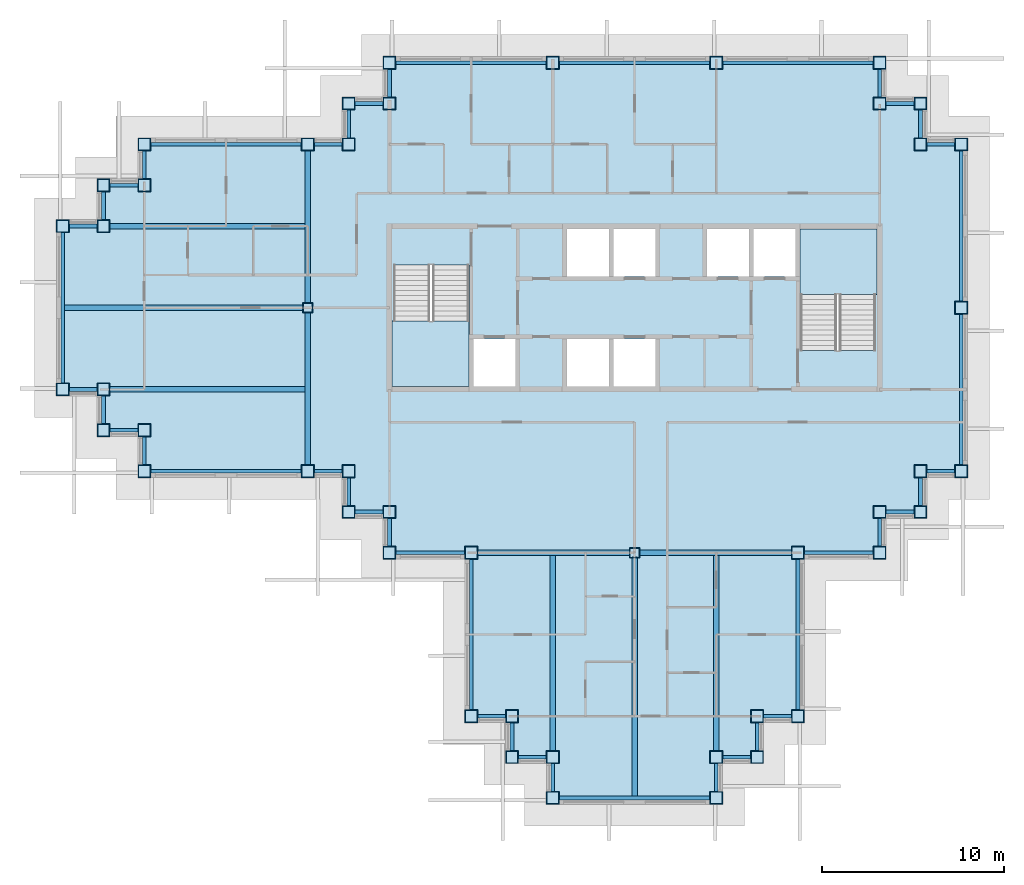
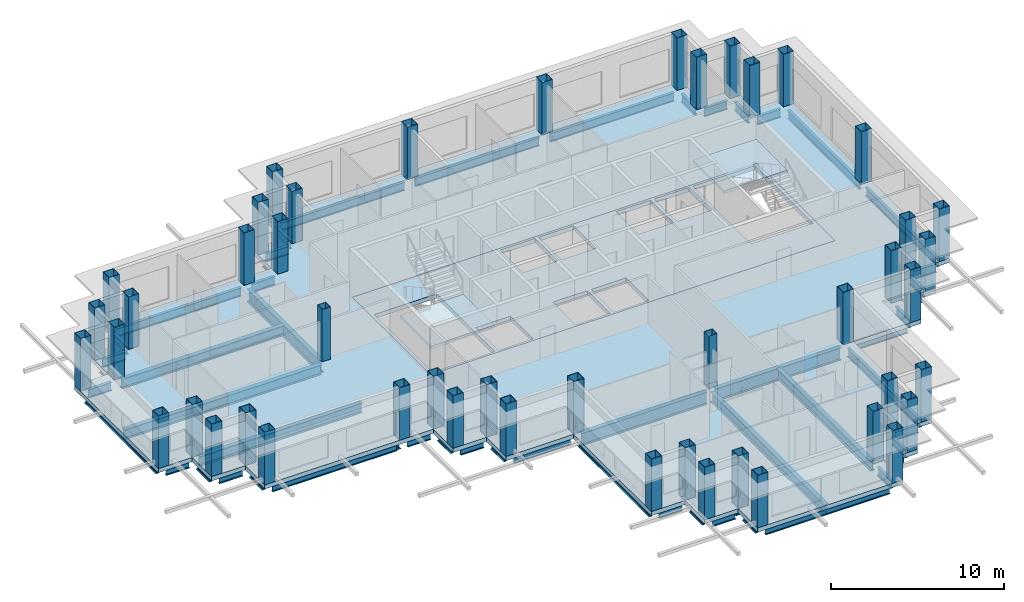
# One storey, part 1 of 12: 55 beams, 47 columns, 4 slabs, 2 elements without a shape of their own.
"""IFC4 building model written with IfcOpenShell, lengths in metres."""

from ifc_helpers import new_model, si_unit, direction, frame, origin, origin_2d, place, context, subcontext, project, spatial, polyline, hollow_rectangle, i_section, outline, extrude, material, layer, layer_set, material_profile, profile_set, type_object, element, aggregate, save


model = new_model("IFC4")

# Units and contexts
model_context = context("Model", 3, precision=1e-05, world=origin(), true_north=direction((0.0, 1.0)))
body_context = subcontext(model_context, "Body", "Model", "MODEL_VIEW")
ifc_project = project(units=[si_unit("LENGTHUNIT", "METRE"), si_unit("AREAUNIT", "SQUARE_METRE"), si_unit("VOLUMEUNIT", "CUBIC_METRE"), si_unit("PLANEANGLEUNIT", "RADIAN"), si_unit("MASSUNIT", "GRAM", prefix="KILO")], contexts=[model_context])

# Site, building, storey
site_placement = place(None, origin())
site = spatial("IfcSite", under=ifc_project, at=site_placement, CompositionType="ELEMENT")
building_placement = place(site_placement, origin())
building = spatial("IfcBuilding", under=site, at=building_placement, Name="Caravel Reach Hotel and Residences", CompositionType="ELEMENT")
storey_placement = place(building_placement, frame((0.0, 0.0, 203.5)))
storey = spatial("IfcBuildingStorey", under=building, at=storey_placement, Name="L51", CompositionType="ELEMENT", Elevation=203.5)

# Columns
ifc_material_1 = material(Name="Concrete-filled steel tube Q390B with Concrete C60 infill", Category="concrete")
ifc_material_profile_1 = material_profile(ifc_material_1, hollow_rectangle(XDim=0.550048828125, YDim=0.550048828125, WallThickness=0.01806640625, at=origin_2d()), Name="RHS 550x550x18")
ifc_profile_set_1 = profile_set([ifc_material_profile_1], Name="Concrete-filled steel tube Q390B with Concrete C60 infill")
column_type_1 = type_object("IfcColumnType", Name="CFT 550x550 Q390B C60", PredefinedType="COLUMN", material=ifc_profile_set_1)
for number, where, z_axis, x_axis, name in (
    (1, (31.5, 13.5, 0.0), (0.0, 0.0, 1.0), (1.0, 0.0, 0.0), "C18 column"),
    (2, (13.5, 27.0, 0.0), (0.0, 0.0, 1.0), (1.0, 0.0, 0.0), "C18 column"),
):
    element("IfcColumn", number, at=place(storey_placement, frame(where, z_axis=z_axis, x_axis=x_axis)), inside=storey, type_object=column_type_1, Name=name, PredefinedType="COLUMN", context=body_context, shape_type="SweptSolid", body=[
        extrude(hollow_rectangle(XDim=0.550048828125, YDim=0.550048828125, WallThickness=0.01806640625, at=origin_2d()), origin(), (0.0, 0.0, 1.0), 3.699951171875),
    ])
ifc_material_2 = material(Name="Concrete-filled steel tube Q390B with Concrete C60 infill", Category="concrete")
ifc_material_profile_2 = material_profile(ifc_material_2, hollow_rectangle(XDim=0.699951171875, YDim=0.699951171875, WallThickness=0.02197265625, at=origin_2d()), Name="RHS 700x700x22")
ifc_profile_set_2 = profile_set([ifc_material_profile_2], Name="Concrete-filled steel tube Q390B with Concrete C60 infill")
column_type_2 = type_object("IfcColumnType", Name="CFT 700x700 Q390B C60", PredefinedType="COLUMN", material=ifc_profile_set_2)
for number, where, z_axis, x_axis, name in (
    (3, (40.5, 13.5, 0.0), (0.0, 0.0, 1.0), (1.0, 0.0, 0.0), "C7 column"),
    (4, (45.0, 13.5, 0.0), (0.0, 0.0, 1.0), (1.0, 0.0, 0.0), "C7 column"),
    (5, (45.0, 15.75, 0.0), (0.0, 0.0, 1.0), (1.0, 0.0, 0.0), "C7 column"),
    (6, (47.25, 15.75, 0.0), (0.0, 0.0, 1.0), (1.0, 0.0, 0.0), "C7 column"),
    (7, (47.25, 18.0, 0.0), (0.0, 0.0, 1.0), (1.0, 0.0, 0.0), "C7 column"),
    (8, (49.5, 18.0, 0.0), (0.0, 0.0, 1.0), (1.0, 0.0, 0.0), "C7 column"),
    (9, (49.5, 27.0, 0.0), (0.0, 0.0, 1.0), (1.0, 0.0, 0.0), "C7 column"),
    (10, (49.5, 36.0, 0.0), (0.0, 0.0, 1.0), (1.0, 0.0, 0.0), "C7 column"),
    (11, (47.25, 36.0, 0.0), (0.0, 0.0, 1.0), (1.0, 0.0, 0.0), "C7 column"),
    (12, (47.25, 38.25, 0.0), (0.0, 0.0, 1.0), (1.0, 0.0, 0.0), "C7 column"),
    (13, (45.0, 38.25, 0.0), (0.0, 0.0, 1.0), (1.0, 0.0, 0.0), "C7 column"),
    (14, (45.0, 40.5, 0.0), (0.0, 0.0, 1.0), (1.0, 0.0, 0.0), "C7 column"),
    (15, (36.0, 40.5, 0.0), (0.0, 0.0, 1.0), (1.0, 0.0, 0.0), "C7 column"),
    (16, (27.0, 40.5, 0.0), (0.0, 0.0, 1.0), (1.0, 0.0, 0.0), "C7 column"),
    (17, (18.0, 40.5, 0.0), (0.0, 0.0, 1.0), (1.0, 0.0, 0.0), "C7 column"),
    (18, (18.0, 38.25, 0.0), (0.0, 0.0, 1.0), (1.0, 0.0, 0.0), "C7 column"),
    (19, (15.75, 38.25, 0.0), (0.0, 0.0, 1.0), (1.0, 0.0, 0.0), "C7 column"),
    (20, (15.75, 36.0, 0.0), (0.0, 0.0, 1.0), (1.0, 0.0, 0.0), "C7 column"),
    (21, (13.5, 36.0, 0.0), (0.0, 0.0, 1.0), (1.0, 0.0, 0.0), "C7 column"),
    (22, (4.5, 36.0, 0.0), (0.0, 0.0, 1.0), (1.0, 0.0, 0.0), "C7 column"),
    (23, (4.5, 33.75, 0.0), (0.0, 0.0, 1.0), (1.0, 0.0, 0.0), "C7 column"),
    (24, (2.25, 33.75, 0.0), (0.0, 0.0, 1.0), (1.0, 0.0, 0.0), "C7 column"),
    (25, (2.25, 31.5, 0.0), (0.0, 0.0, 1.0), (1.0, 0.0, 0.0), "C7 column"),
    (26, (0.0, 31.5, 0.0), (0.0, 0.0, 1.0), (1.0, 0.0, 0.0), "C7 column"),
    (27, (0.0, 22.5, 0.0), (0.0, 0.0, 1.0), (1.0, 0.0, 0.0), "C7 column"),
    (28, (2.25, 22.5, 0.0), (0.0, 0.0, 1.0), (1.0, 0.0, 0.0), "C7 column"),
    (29, (2.25, 20.25, 0.0), (0.0, 0.0, 1.0), (1.0, 0.0, 0.0), "C7 column"),
    (30, (4.5, 20.25, 0.0), (0.0, 0.0, 1.0), (1.0, 0.0, 0.0), "C7 column"),
    (31, (4.5, 18.0, 0.0), (0.0, 0.0, 1.0), (1.0, 0.0, 0.0), "C7 column"),
    (32, (13.5, 18.0, 0.0), (0.0, 0.0, 1.0), (1.0, 0.0, 0.0), "C7 column"),
    (33, (15.75, 18.0, 0.0), (0.0, 0.0, 1.0), (1.0, 0.0, 0.0), "C7 column"),
    (34, (15.75, 15.75, 0.0), (0.0, 0.0, 1.0), (1.0, 0.0, 0.0), "C7 column"),
    (35, (18.0, 15.75, 0.0), (0.0, 0.0, 1.0), (1.0, 0.0, 0.0), "C7 column"),
    (36, (18.0, 13.5, 0.0), (0.0, 0.0, 1.0), (1.0, 0.0, 0.0), "C7 column"),
    (37, (22.5, 13.5, 0.0), (0.0, 0.0, 1.0), (1.0, 0.0, 0.0), "C7 column"),
    (38, (22.5, 4.5, 0.0), (0.0, 0.0, 1.0), (1.0, 0.0, 0.0), "C7 column"),
    (39, (24.75, 4.5, 0.0), (0.0, 0.0, 1.0), (1.0, 0.0, 0.0), "C7 column"),
    (40, (24.75, 2.25, 0.0), (0.0, 0.0, 1.0), (1.0, 0.0, 0.0), "C7 column"),
    (41, (27.0, 2.25, 0.0), (0.0, 0.0, 1.0), (1.0, 0.0, 0.0), "C7 column"),
    (42, (27.0, 0.0, 0.0), (0.0, 0.0, 1.0), (1.0, 0.0, 0.0), "C7 column"),
    (43, (36.0, 0.0, 0.0), (0.0, 0.0, 1.0), (1.0, 0.0, 0.0), "C7 column"),
    (44, (36.0, 2.25, 0.0), (0.0, 0.0, 1.0), (1.0, 0.0, 0.0), "C7 column"),
    (45, (38.25, 2.25, 0.0), (0.0, 0.0, 1.0), (1.0, 0.0, 0.0), "C7 column"),
    (46, (38.25, 4.5, 0.0), (0.0, 0.0, 1.0), (1.0, 0.0, 0.0), "C7 column"),
    (47, (40.5, 4.5, 0.0), (0.0, 0.0, 1.0), (1.0, 0.0, 0.0), "C7 column"),
):
    element("IfcColumn", number, at=place(storey_placement, frame(where, z_axis=z_axis, x_axis=x_axis)), inside=storey, type_object=column_type_2, Name=name, PredefinedType="COLUMN", context=body_context, shape_type="SweptSolid", body=[
        extrude(hollow_rectangle(XDim=0.699951171875, YDim=0.699951171875, WallThickness=0.02197265625, at=origin_2d()), origin(), (0.0, 0.0, 1.0), 3.699951171875),
    ])

# Beams
ifc_material_3 = material(Name="Structural steel Q355B", Category="steel")
ifc_material_profile_3 = material_profile(ifc_material_3, i_section(OverallWidth=0.300048828125, OverallDepth=0.699951171875, WebThickness=0.012939453125, FlangeThickness=0.02392578125, FilletRadius=0.01806640625, at=origin_2d()), Name="HN 700x300x13x24")
ifc_profile_set_3 = profile_set([ifc_material_profile_3], Name="Structural steel Q355B")
beam_type_1 = type_object("IfcBeamType", Name="Beam HN 700x300x13x24", PredefinedType="BEAM", material=ifc_profile_set_3)
beam_1_placement = place(storey_placement, frame((27.0, 13.39990234375, -0.64990234375), z_axis=(0.0, -1.0, 0.0), x_axis=(1.0, 0.0, 0.0)))
element("IfcBeam", 48, at=beam_1_placement, inside=storey, type_object=beam_type_1, Name="B2 HN 700x300x13x24", PredefinedType="BEAM", context=body_context, shape_type="SweptSolid", body=[
    extrude(i_section(OverallWidth=0.300048828125, OverallDepth=0.699951171875, WebThickness=0.012939453125, FlangeThickness=0.02392578125, FilletRadius=0.01806640625, at=origin_2d()), origin(), (0.0, 0.0, 1.0), 10.849853515625),
])
beam_2_placement = place(storey_placement, frame((31.5, 13.27490234375, -0.64990234375), z_axis=(0.0, -1.0, 0.0), x_axis=(1.0, 0.0, 0.0)))
element("IfcBeam", 49, at=beam_2_placement, inside=storey, type_object=beam_type_1, Name="B2 HN 700x300x13x24", PredefinedType="BEAM", context=body_context, shape_type="SweptSolid", body=[
    extrude(i_section(OverallWidth=0.300048828125, OverallDepth=0.699951171875, WebThickness=0.012939453125, FlangeThickness=0.02392578125, FilletRadius=0.01806640625, at=origin_2d()), origin(), (0.0, 0.0, 1.0), 13.1748046875),
])
for number, where, z_axis, x_axis, name in (
    (50, (36.0, 13.39990234375, -0.64990234375), (0.0, -1.0, 0.0), (1.0, 0.0, 0.0), "B2 HN 700x300x13x24"),
    (51, (13.39990234375, 22.5, -0.64990234375), (-1.0, 0.0, 0.0), (0.0, -1.0, 0.0), "B2 HN 700x300x13x24"),
):
    element("IfcBeam", number, at=place(storey_placement, frame(where, z_axis=z_axis, x_axis=x_axis)), inside=storey, type_object=beam_type_1, Name=name, PredefinedType="BEAM", context=body_context, shape_type="SweptSolid", body=[
        extrude(i_section(OverallWidth=0.300048828125, OverallDepth=0.699951171875, WebThickness=0.012939453125, FlangeThickness=0.02392578125, FilletRadius=0.01806640625, at=origin_2d()), origin(), (0.0, 0.0, 1.0), 10.849853515625),
    ])
beam_3_placement = place(storey_placement, frame((13.27490234375, 27.0, -0.64990234375), z_axis=(-1.0, 0.0, 0.0), x_axis=(0.0, -1.0, 0.0)))
element("IfcBeam", 52, at=beam_3_placement, inside=storey, type_object=beam_type_1, Name="B2 HN 700x300x13x24", PredefinedType="BEAM", context=body_context, shape_type="SweptSolid", body=[
    extrude(i_section(OverallWidth=0.300048828125, OverallDepth=0.699951171875, WebThickness=0.012939453125, FlangeThickness=0.02392578125, FilletRadius=0.01806640625, at=origin_2d()), origin(), (0.0, 0.0, 1.0), 13.1748046875),
])
beam_4_placement = place(storey_placement, frame((13.39990234375, 31.5, -0.64990234375), z_axis=(-1.0, 0.0, 0.0), x_axis=(0.0, -1.0, 0.0)))
element("IfcBeam", 53, at=beam_4_placement, inside=storey, type_object=beam_type_1, Name="B2 HN 700x300x13x24", PredefinedType="BEAM", context=body_context, shape_type="SweptSolid", body=[
    extrude(i_section(OverallWidth=0.300048828125, OverallDepth=0.699951171875, WebThickness=0.012939453125, FlangeThickness=0.02392578125, FilletRadius=0.01806640625, at=origin_2d()), origin(), (0.0, 0.0, 1.0), 10.849853515625),
])
ifc_material_4 = material(Name="Structural steel Q355B", Category="steel")
ifc_material_profile_4 = material_profile(ifc_material_4, i_section(OverallWidth=0.300048828125, OverallDepth=0.89990234375, WebThickness=0.01611328125, FlangeThickness=0.028076171875, FilletRadius=0.01806640625, at=origin_2d()), Name="HN 900x300x16x28")
ifc_profile_set_4 = profile_set([ifc_material_profile_4], Name="Structural steel Q355B")
beam_type_2 = type_object("IfcBeamType", Name="Beam HN 900x300x16x28", PredefinedType="BEAM", material=ifc_profile_set_4)
for number, where, z_axis, x_axis, name in (
    (54, (22.85009765625, 13.5, -0.75), (1.0, 0.0, 0.0), (0.0, 1.0, 0.0), "B3 HN 900x300x16x28"),
    (55, (31.77490234375, 13.5, -0.75), (1.0, 0.0, 0.0), (0.0, 1.0, 0.0), "B3 HN 900x300x16x28"),
    (56, (13.5, 18.35009765625, -0.75), (0.0, 1.0, 0.0), (-1.0, 0.0, 0.0), "B3 HN 900x300x16x28"),
    (57, (13.5, 27.27490234375, -0.75), (0.0, 1.0, 0.0), (-1.0, 0.0, 0.0), "B3 HN 900x300x16x28"),
):
    element("IfcBeam", number, at=place(storey_placement, frame(where, z_axis=z_axis, x_axis=x_axis)), inside=storey, type_object=beam_type_2, Name=name, PredefinedType="BEAM", context=body_context, shape_type="SweptSolid", body=[
        extrude(i_section(OverallWidth=0.300048828125, OverallDepth=0.89990234375, WebThickness=0.01611328125, FlangeThickness=0.028076171875, FilletRadius=0.01806640625, at=origin_2d()), origin(), (0.0, 0.0, 1.0), 8.375),
    ])
ifc_material_5 = material(Name="Structural steel Q355B", Category="steel")
ifc_material_profile_5 = material_profile(ifc_material_5, i_section(OverallWidth=0.199951171875, OverallDepth=0.60009765625, WebThickness=0.010986328125, FlangeThickness=0.01708984375, FilletRadius=0.012939453125, at=origin_2d()), Name="HN 600x200x11x17")
ifc_profile_set_5 = profile_set([ifc_material_profile_5], Name="Structural steel Q355B")
beam_type_3 = type_object("IfcBeamType", Name="Spandrel beam HN 600x200x11x17", PredefinedType="SPANDREL", material=ifc_profile_set_5)
beam_5_placement = place(storey_placement, frame((40.85009765625, 13.5, -0.60009765625), z_axis=(1.0, 0.0, 0.0), x_axis=(0.0, 1.0, 0.0)))
element("IfcBeam", 58, at=beam_5_placement, inside=storey, type_object=beam_type_3, Name="SP1 HN 600x200x11x17", PredefinedType="SPANDREL", context=body_context, shape_type="SweptSolid", body=[
    extrude(i_section(OverallWidth=0.199951171875, OverallDepth=0.60009765625, WebThickness=0.010986328125, FlangeThickness=0.01708984375, FilletRadius=0.012939453125, at=origin_2d()), origin(), (0.0, 0.0, 1.0), 3.7998046875),
])
for number, where, z_axis, x_axis, name in (
    (59, (45.0, 13.85009765625, -0.60009765625), (0.0, 1.0, 0.0), (-1.0, 0.0, 0.0), "SP1 HN 600x200x11x17"),
    (60, (45.35009765625, 15.75, -0.60009765625), (1.0, 0.0, 0.0), (0.0, 1.0, 0.0), "SP1 HN 600x200x11x17"),
    (61, (47.25, 16.10009765625, -0.60009765625), (0.0, 1.0, 0.0), (-1.0, 0.0, 0.0), "SP1 HN 600x200x11x17"),
    (62, (47.60009765625, 18.0, -0.60009765625), (1.0, 0.0, 0.0), (0.0, 1.0, 0.0), "SP1 HN 600x200x11x17"),
):
    element("IfcBeam", number, at=place(storey_placement, frame(where, z_axis=z_axis, x_axis=x_axis)), inside=storey, type_object=beam_type_3, Name=name, PredefinedType="SPANDREL", context=body_context, shape_type="SweptSolid", body=[
        extrude(i_section(OverallWidth=0.199951171875, OverallDepth=0.60009765625, WebThickness=0.010986328125, FlangeThickness=0.01708984375, FilletRadius=0.012939453125, at=origin_2d()), origin(), (0.0, 0.0, 1.0), 1.5498046875),
    ])
for number, where, z_axis, x_axis, name in (
    (63, (49.5, 18.35009765625, -0.60009765625), (0.0, 1.0, 0.0), (-1.0, 0.0, 0.0), "SP1 HN 600x200x11x17"),
    (64, (49.5, 27.35009765625, -0.60009765625), (0.0, 1.0, 0.0), (-1.0, 0.0, 0.0), "SP1 HN 600x200x11x17"),
):
    element("IfcBeam", number, at=place(storey_placement, frame(where, z_axis=z_axis, x_axis=x_axis)), inside=storey, type_object=beam_type_3, Name=name, PredefinedType="SPANDREL", context=body_context, shape_type="SweptSolid", body=[
        extrude(i_section(OverallWidth=0.199951171875, OverallDepth=0.60009765625, WebThickness=0.010986328125, FlangeThickness=0.01708984375, FilletRadius=0.012939453125, at=origin_2d()), origin(), (0.0, 0.0, 1.0), 8.2998046875),
    ])
for number, where, z_axis, x_axis, name in (
    (65, (49.14990234375, 36.0, -0.60009765625), (-1.0, 0.0, 0.0), (0.0, -1.0, 0.0), "SP1 HN 600x200x11x17"),
    (66, (47.25, 36.35009765625, -0.60009765625), (0.0, 1.0, 0.0), (-1.0, 0.0, 0.0), "SP1 HN 600x200x11x17"),
    (67, (46.89990234375, 38.25, -0.60009765625), (-1.0, 0.0, 0.0), (0.0, -1.0, 0.0), "SP1 HN 600x200x11x17"),
    (68, (45.0, 38.60009765625, -0.60009765625), (0.0, 1.0, 0.0), (-1.0, 0.0, 0.0), "SP1 HN 600x200x11x17"),
):
    element("IfcBeam", number, at=place(storey_placement, frame(where, z_axis=z_axis, x_axis=x_axis)), inside=storey, type_object=beam_type_3, Name=name, PredefinedType="SPANDREL", context=body_context, shape_type="SweptSolid", body=[
        extrude(i_section(OverallWidth=0.199951171875, OverallDepth=0.60009765625, WebThickness=0.010986328125, FlangeThickness=0.01708984375, FilletRadius=0.012939453125, at=origin_2d()), origin(), (0.0, 0.0, 1.0), 1.5498046875),
    ])
for number, where, z_axis, x_axis, name in (
    (69, (44.64990234375, 40.5, -0.60009765625), (-1.0, 0.0, 0.0), (0.0, -1.0, 0.0), "SP1 HN 600x200x11x17"),
    (70, (35.64990234375, 40.5, -0.60009765625), (-1.0, 0.0, 0.0), (0.0, -1.0, 0.0), "SP1 HN 600x200x11x17"),
    (71, (26.64990234375, 40.5, -0.60009765625), (-1.0, 0.0, 0.0), (0.0, -1.0, 0.0), "SP1 HN 600x200x11x17"),
):
    element("IfcBeam", number, at=place(storey_placement, frame(where, z_axis=z_axis, x_axis=x_axis)), inside=storey, type_object=beam_type_3, Name=name, PredefinedType="SPANDREL", context=body_context, shape_type="SweptSolid", body=[
        extrude(i_section(OverallWidth=0.199951171875, OverallDepth=0.60009765625, WebThickness=0.010986328125, FlangeThickness=0.01708984375, FilletRadius=0.012939453125, at=origin_2d()), origin(), (0.0, 0.0, 1.0), 8.2998046875),
    ])
for number, where, z_axis, x_axis, name in (
    (72, (18.0, 40.14990234375, -0.60009765625), (0.0, -1.0, 0.0), (1.0, 0.0, 0.0), "SP1 HN 600x200x11x17"),
    (73, (17.64990234375, 38.25, -0.60009765625), (-1.0, 0.0, 0.0), (0.0, -1.0, 0.0), "SP1 HN 600x200x11x17"),
    (74, (15.75, 37.89990234375, -0.60009765625), (0.0, -1.0, 0.0), (1.0, 0.0, 0.0), "SP1 HN 600x200x11x17"),
    (75, (15.39990234375, 36.0, -0.60009765625), (-1.0, 0.0, 0.0), (0.0, -1.0, 0.0), "SP1 HN 600x200x11x17"),
):
    element("IfcBeam", number, at=place(storey_placement, frame(where, z_axis=z_axis, x_axis=x_axis)), inside=storey, type_object=beam_type_3, Name=name, PredefinedType="SPANDREL", context=body_context, shape_type="SweptSolid", body=[
        extrude(i_section(OverallWidth=0.199951171875, OverallDepth=0.60009765625, WebThickness=0.010986328125, FlangeThickness=0.01708984375, FilletRadius=0.012939453125, at=origin_2d()), origin(), (0.0, 0.0, 1.0), 1.5498046875),
    ])
beam_6_placement = place(storey_placement, frame((13.14990234375, 36.0, -0.60009765625), z_axis=(-1.0, 0.0, 0.0), x_axis=(0.0, -1.0, 0.0)))
element("IfcBeam", 76, at=beam_6_placement, inside=storey, type_object=beam_type_3, Name="SP1 HN 600x200x11x17", PredefinedType="SPANDREL", context=body_context, shape_type="SweptSolid", body=[
    extrude(i_section(OverallWidth=0.199951171875, OverallDepth=0.60009765625, WebThickness=0.010986328125, FlangeThickness=0.01708984375, FilletRadius=0.012939453125, at=origin_2d()), origin(), (0.0, 0.0, 1.0), 8.2998046875),
])
for number, where, z_axis, x_axis, name in (
    (77, (4.5, 35.64990234375, -0.60009765625), (0.0, -1.0, 0.0), (1.0, 0.0, 0.0), "SP1 HN 600x200x11x17"),
    (78, (4.14990234375, 33.75, -0.60009765625), (-1.0, 0.0, 0.0), (0.0, -1.0, 0.0), "SP1 HN 600x200x11x17"),
    (79, (2.25, 33.39990234375, -0.60009765625), (0.0, -1.0, 0.0), (1.0, 0.0, 0.0), "SP1 HN 600x200x11x17"),
    (80, (1.89990234375, 31.5, -0.60009765625), (-1.0, 0.0, 0.0), (0.0, -1.0, 0.0), "SP1 HN 600x200x11x17"),
):
    element("IfcBeam", number, at=place(storey_placement, frame(where, z_axis=z_axis, x_axis=x_axis)), inside=storey, type_object=beam_type_3, Name=name, PredefinedType="SPANDREL", context=body_context, shape_type="SweptSolid", body=[
        extrude(i_section(OverallWidth=0.199951171875, OverallDepth=0.60009765625, WebThickness=0.010986328125, FlangeThickness=0.01708984375, FilletRadius=0.012939453125, at=origin_2d()), origin(), (0.0, 0.0, 1.0), 1.5498046875),
    ])
beam_7_placement = place(storey_placement, frame((0.0, 31.14990234375, -0.60009765625), z_axis=(0.0, -1.0, 0.0), x_axis=(1.0, 0.0, 0.0)))
element("IfcBeam", 81, at=beam_7_placement, inside=storey, type_object=beam_type_3, Name="SP1 HN 600x200x11x17", PredefinedType="SPANDREL", context=body_context, shape_type="SweptSolid", body=[
    extrude(i_section(OverallWidth=0.199951171875, OverallDepth=0.60009765625, WebThickness=0.010986328125, FlangeThickness=0.01708984375, FilletRadius=0.012939453125, at=origin_2d()), origin(), (0.0, 0.0, 1.0), 8.2998046875),
])
for number, where, z_axis, x_axis, name in (
    (82, (0.35009765625, 22.5, -0.60009765625), (1.0, 0.0, 0.0), (0.0, 1.0, 0.0), "SP1 HN 600x200x11x17"),
    (83, (2.25, 22.14990234375, -0.60009765625), (0.0, -1.0, 0.0), (1.0, 0.0, 0.0), "SP1 HN 600x200x11x17"),
    (84, (2.60009765625, 20.25, -0.60009765625), (1.0, 0.0, 0.0), (0.0, 1.0, 0.0), "SP1 HN 600x200x11x17"),
    (85, (4.5, 19.89990234375, -0.60009765625), (0.0, -1.0, 0.0), (1.0, 0.0, 0.0), "SP1 HN 600x200x11x17"),
):
    element("IfcBeam", number, at=place(storey_placement, frame(where, z_axis=z_axis, x_axis=x_axis)), inside=storey, type_object=beam_type_3, Name=name, PredefinedType="SPANDREL", context=body_context, shape_type="SweptSolid", body=[
        extrude(i_section(OverallWidth=0.199951171875, OverallDepth=0.60009765625, WebThickness=0.010986328125, FlangeThickness=0.01708984375, FilletRadius=0.012939453125, at=origin_2d()), origin(), (0.0, 0.0, 1.0), 1.5498046875),
    ])
beam_8_placement = place(storey_placement, frame((4.85009765625, 18.0, -0.60009765625), z_axis=(1.0, 0.0, 0.0), x_axis=(0.0, 1.0, 0.0)))
element("IfcBeam", 86, at=beam_8_placement, inside=storey, type_object=beam_type_3, Name="SP1 HN 600x200x11x17", PredefinedType="SPANDREL", context=body_context, shape_type="SweptSolid", body=[
    extrude(i_section(OverallWidth=0.199951171875, OverallDepth=0.60009765625, WebThickness=0.010986328125, FlangeThickness=0.01708984375, FilletRadius=0.012939453125, at=origin_2d()), origin(), (0.0, 0.0, 1.0), 8.2998046875),
])
for number, where, z_axis, x_axis, name in (
    (87, (13.85009765625, 18.0, -0.60009765625), (1.0, 0.0, 0.0), (0.0, 1.0, 0.0), "SP1 HN 600x200x11x17"),
    (88, (15.75, 17.64990234375, -0.60009765625), (0.0, -1.0, 0.0), (1.0, 0.0, 0.0), "SP1 HN 600x200x11x17"),
    (89, (16.10009765625, 15.75, -0.60009765625), (1.0, 0.0, 0.0), (0.0, 1.0, 0.0), "SP1 HN 600x200x11x17"),
    (90, (18.0, 15.39990234375, -0.60009765625), (0.0, -1.0, 0.0), (1.0, 0.0, 0.0), "SP1 HN 600x200x11x17"),
):
    element("IfcBeam", number, at=place(storey_placement, frame(where, z_axis=z_axis, x_axis=x_axis)), inside=storey, type_object=beam_type_3, Name=name, PredefinedType="SPANDREL", context=body_context, shape_type="SweptSolid", body=[
        extrude(i_section(OverallWidth=0.199951171875, OverallDepth=0.60009765625, WebThickness=0.010986328125, FlangeThickness=0.01708984375, FilletRadius=0.012939453125, at=origin_2d()), origin(), (0.0, 0.0, 1.0), 1.5498046875),
    ])
beam_9_placement = place(storey_placement, frame((18.35009765625, 13.5, -0.60009765625), z_axis=(1.0, 0.0, 0.0), x_axis=(0.0, 1.0, 0.0)))
element("IfcBeam", 91, at=beam_9_placement, inside=storey, type_object=beam_type_3, Name="SP1 HN 600x200x11x17", PredefinedType="SPANDREL", context=body_context, shape_type="SweptSolid", body=[
    extrude(i_section(OverallWidth=0.199951171875, OverallDepth=0.60009765625, WebThickness=0.010986328125, FlangeThickness=0.01708984375, FilletRadius=0.012939453125, at=origin_2d()), origin(), (0.0, 0.0, 1.0), 3.7998046875),
])
beam_10_placement = place(storey_placement, frame((22.5, 13.14990234375, -0.60009765625), z_axis=(0.0, -1.0, 0.0), x_axis=(1.0, 0.0, 0.0)))
element("IfcBeam", 92, at=beam_10_placement, inside=storey, type_object=beam_type_3, Name="SP1 HN 600x200x11x17", PredefinedType="SPANDREL", context=body_context, shape_type="SweptSolid", body=[
    extrude(i_section(OverallWidth=0.199951171875, OverallDepth=0.60009765625, WebThickness=0.010986328125, FlangeThickness=0.01708984375, FilletRadius=0.012939453125, at=origin_2d()), origin(), (0.0, 0.0, 1.0), 8.2998046875),
])
for number, where, z_axis, x_axis, name in (
    (93, (22.85009765625, 4.5, -0.60009765625), (1.0, 0.0, 0.0), (0.0, 1.0, 0.0), "SP1 HN 600x200x11x17"),
    (94, (24.75, 4.14990234375, -0.60009765625), (0.0, -1.0, 0.0), (1.0, 0.0, 0.0), "SP1 HN 600x200x11x17"),
    (95, (25.10009765625, 2.25, -0.60009765625), (1.0, 0.0, 0.0), (0.0, 1.0, 0.0), "SP1 HN 600x200x11x17"),
    (96, (27.0, 1.89990234375, -0.60009765625), (0.0, -1.0, 0.0), (1.0, 0.0, 0.0), "SP1 HN 600x200x11x17"),
):
    element("IfcBeam", number, at=place(storey_placement, frame(where, z_axis=z_axis, x_axis=x_axis)), inside=storey, type_object=beam_type_3, Name=name, PredefinedType="SPANDREL", context=body_context, shape_type="SweptSolid", body=[
        extrude(i_section(OverallWidth=0.199951171875, OverallDepth=0.60009765625, WebThickness=0.010986328125, FlangeThickness=0.01708984375, FilletRadius=0.012939453125, at=origin_2d()), origin(), (0.0, 0.0, 1.0), 1.5498046875),
    ])
beam_11_placement = place(storey_placement, frame((27.35009765625, 0.0, -0.60009765625), z_axis=(1.0, 0.0, 0.0), x_axis=(0.0, 1.0, 0.0)))
element("IfcBeam", 97, at=beam_11_placement, inside=storey, type_object=beam_type_3, Name="SP1 HN 600x200x11x17", PredefinedType="SPANDREL", context=body_context, shape_type="SweptSolid", body=[
    extrude(i_section(OverallWidth=0.199951171875, OverallDepth=0.60009765625, WebThickness=0.010986328125, FlangeThickness=0.01708984375, FilletRadius=0.012939453125, at=origin_2d()), origin(), (0.0, 0.0, 1.0), 8.2998046875),
])
for number, where, z_axis, x_axis, name in (
    (98, (36.0, 0.35009765625, -0.60009765625), (0.0, 1.0, 0.0), (-1.0, 0.0, 0.0), "SP1 HN 600x200x11x17"),
    (99, (36.35009765625, 2.25, -0.60009765625), (1.0, 0.0, 0.0), (0.0, 1.0, 0.0), "SP1 HN 600x200x11x17"),
    (100, (38.25, 2.60009765625, -0.60009765625), (0.0, 1.0, 0.0), (-1.0, 0.0, 0.0), "SP1 HN 600x200x11x17"),
    (101, (38.60009765625, 4.5, -0.60009765625), (1.0, 0.0, 0.0), (0.0, 1.0, 0.0), "SP1 HN 600x200x11x17"),
):
    element("IfcBeam", number, at=place(storey_placement, frame(where, z_axis=z_axis, x_axis=x_axis)), inside=storey, type_object=beam_type_3, Name=name, PredefinedType="SPANDREL", context=body_context, shape_type="SweptSolid", body=[
        extrude(i_section(OverallWidth=0.199951171875, OverallDepth=0.60009765625, WebThickness=0.010986328125, FlangeThickness=0.01708984375, FilletRadius=0.012939453125, at=origin_2d()), origin(), (0.0, 0.0, 1.0), 1.5498046875),
    ])
beam_12_placement = place(storey_placement, frame((40.5, 4.85009765625, -0.60009765625), z_axis=(0.0, 1.0, 0.0), x_axis=(-1.0, 0.0, 0.0)))
element("IfcBeam", 102, at=beam_12_placement, inside=storey, type_object=beam_type_3, Name="SP1 HN 600x200x11x17", PredefinedType="SPANDREL", context=body_context, shape_type="SweptSolid", body=[
    extrude(i_section(OverallWidth=0.199951171875, OverallDepth=0.60009765625, WebThickness=0.010986328125, FlangeThickness=0.01708984375, FilletRadius=0.012939453125, at=origin_2d()), origin(), (0.0, 0.0, 1.0), 8.2998046875),
])

# Slab
ifc_material_6 = material(Name="Concrete C40", Category="concrete")
ifc_layer_1 = layer(ifc_material_6, 0.300048828125)
ifc_layer_set_1 = layer_set([ifc_layer_1], Name="Core floor slab 300 mm")
slab_type_1 = type_object("IfcSlabType", Name="Core floor slab 300 mm", PredefinedType="FLOOR", material=ifc_layer_set_1)
slab_1_placement = place(storey_placement, frame((0.0, 0.0, -0.300048828125)))
element("IfcSlab", 103, at=slab_1_placement, inside=storey, type_object=slab_type_1, Name="L51 core floor", PredefinedType="FLOOR", context=body_context, shape_type="SweptSolid", body=[
    extrude(outline(polyline([(18.0, 31.5), (45.0, 31.5), (45.0, 22.5), (18.0, 22.5), (18.0, 31.5)]), holes=[polyline([(22.625, 25.27490234375), (22.625, 22.64990234375), (24.9462890625, 22.64990234375), (24.9462890625, 25.27490234375), (22.625, 25.27490234375)]), polyline([(27.767822265625, 25.27490234375), (27.767822265625, 22.64990234375), (30.08935546875, 22.64990234375), (30.08935546875, 25.27490234375), (27.767822265625, 25.27490234375)]), polyline([(30.33935546875, 25.27490234375), (30.33935546875, 22.64990234375), (32.66064453125, 22.64990234375), (32.66064453125, 25.27490234375), (30.33935546875, 25.27490234375)]), polyline([(22.375, 22.64990234375), (22.375, 29.35009765625), (18.22509765625, 29.35009765625), (18.22509765625, 22.64990234375), (22.375, 22.64990234375)]), polyline([(40.625, 31.35009765625), (40.625, 24.64990234375), (44.77490234375, 24.64990234375), (44.77490234375, 31.35009765625), (40.625, 31.35009765625)]), polyline([(27.767822265625, 31.35009765625), (27.767822265625, 28.72509765625), (30.08935546875, 28.72509765625), (30.08935546875, 31.35009765625), (27.767822265625, 31.35009765625)]), polyline([(30.33935546875, 31.35009765625), (30.33935546875, 28.72509765625), (32.66064453125, 28.72509765625), (32.66064453125, 31.35009765625), (30.33935546875, 31.35009765625)]), polyline([(37.8037109375, 31.35009765625), (35.482177734375, 31.35009765625), (35.482177734375, 28.72509765625), (37.8037109375, 28.72509765625), (37.8037109375, 31.35009765625)]), polyline([(40.375, 31.35009765625), (38.0537109375, 31.35009765625), (38.0537109375, 28.72509765625), (40.375, 28.72509765625), (40.375, 31.35009765625)])]), origin(), (0.0, 0.0, 1.0), 0.300048828125),
])

# Stair, slab
ifc_material_7 = material(Name="Concrete C40", Category="concrete")
stair_type = type_object("IfcStairType", Name="Core stair", PredefinedType="HALF_TURN_STAIR", material=ifc_material_7)
stair_1_placement = place(storey_placement, origin())
stair_1 = element("IfcStair", 104, at=stair_1_placement, inside=storey, type_object=stair_type, Name="L51 Exit stair A", PredefinedType="HALF_TURN_STAIR")
ifc_material_8 = material(Name="Concrete C40", Category="concrete")
ifc_layer_2 = layer(ifc_material_8, 0.199951171875)
ifc_layer_set_2 = layer_set([ifc_layer_2], Name="Core stair landing")
slab_type_2 = type_object("IfcSlabType", Name="Core stair landing", PredefinedType="LANDING", material=ifc_layer_set_2)
slab_2_placement = place(storey_placement, frame((0.0, 0.0, 1.64990234375)))
slab_2 = element("IfcSlab", 105, at=slab_2_placement, type_object=slab_type_2, Name="ST-A landing 1", PredefinedType="LANDING", context=body_context, shape_type="SweptSolid", body=[
    extrude(outline(polyline([(18.14990234375, 26.27001953125), (18.14990234375, 22.64990234375), (22.375, 22.64990234375), (22.375, 26.27001953125), (18.14990234375, 26.27001953125)])), origin(), (0.0, 0.0, 1.0), 0.2001953125),
])
aggregate(stair_1, [slab_2])

stair_2_placement = place(storey_placement, origin())
stair_2 = element("IfcStair", 106, at=stair_2_placement, inside=storey, type_object=stair_type, Name="L51 Exit stair B", PredefinedType="HALF_TURN_STAIR")
slab_3_placement = place(storey_placement, frame((0.0, 0.0, 1.64990234375)))
slab_3 = element("IfcSlab", 107, at=slab_3_placement, type_object=slab_type_2, Name="ST-B landing 1", PredefinedType="LANDING", context=body_context, shape_type="SweptSolid", body=[
    extrude(outline(polyline([(44.85009765625, 27.72998046875), (44.85009765625, 31.35009765625), (40.625, 31.35009765625), (40.625, 27.72998046875), (44.85009765625, 27.72998046875)])), origin(), (0.0, 0.0, 1.0), 0.2001953125),
])
aggregate(stair_2, [slab_3])

# Slab
ifc_material_9 = material(Name="Concrete C40 post-tensioned", Category="concrete")
ifc_layer_3 = layer(ifc_material_9, 0.300048828125)
ifc_layer_set_3 = layer_set([ifc_layer_3], Name="Floor slab 300")
slab_type_3 = type_object("IfcSlabType", Name="Floor slab 300", PredefinedType="FLOOR", material=ifc_layer_set_3)
slab_4_placement = place(storey_placement, frame((0.0, 0.0, -0.300048828125)))
element("IfcSlab", 108, at=slab_4_placement, inside=storey, type_object=slab_type_3, Name="S2 slab L51", PredefinedType="FLOOR", context=body_context, shape_type="SweptSolid", body=[
    extrude(outline(polyline([(38.60009765625, 4.14990234375), (38.60009765625, 1.89990234375), (36.35009765625, 1.89990234375), (36.35009765625, -0.35009765625), (26.64990234375, -0.35009765625), (26.64990234375, 1.89990234375), (24.39990234375, 1.89990234375), (24.39990234375, 4.14990234375), (22.14990234375, 4.14990234375), (22.14990234375, 13.14990234375), (17.64990234375, 13.14990234375), (17.64990234375, 15.39990234375), (15.39990234375, 15.39990234375), (15.39990234375, 17.64990234375), (4.14990234375, 17.64990234375), (4.14990234375, 19.89990234375), (1.89990234375, 19.89990234375), (1.89990234375, 22.14990234375), (-0.35009765625, 22.14990234375), (-0.35009765625, 31.85009765625), (1.89990234375, 31.85009765625), (1.89990234375, 34.10009765625), (4.14990234375, 34.10009765625), (4.14990234375, 36.35009765625), (15.39990234375, 36.35009765625), (15.39990234375, 38.60009765625), (17.64990234375, 38.60009765625), (17.64990234375, 40.85009765625), (45.35009765625, 40.85009765625), (45.35009765625, 38.60009765625), (47.60009765625, 38.60009765625), (47.60009765625, 36.35009765625), (49.85009765625, 36.35009765625), (49.85009765625, 17.64990234375), (47.60009765625, 17.64990234375), (47.60009765625, 15.39990234375), (45.35009765625, 15.39990234375), (45.35009765625, 13.14990234375), (40.85009765625, 13.14990234375), (40.85009765625, 4.14990234375), (38.60009765625, 4.14990234375)]), holes=[polyline([(45.0, 31.5), (18.0, 31.5), (18.0, 22.5), (45.0, 22.5), (45.0, 31.5)])]), origin(), (0.0, 0.0, 1.0), 0.300048828125),
])

save(model, "model.ifc")
